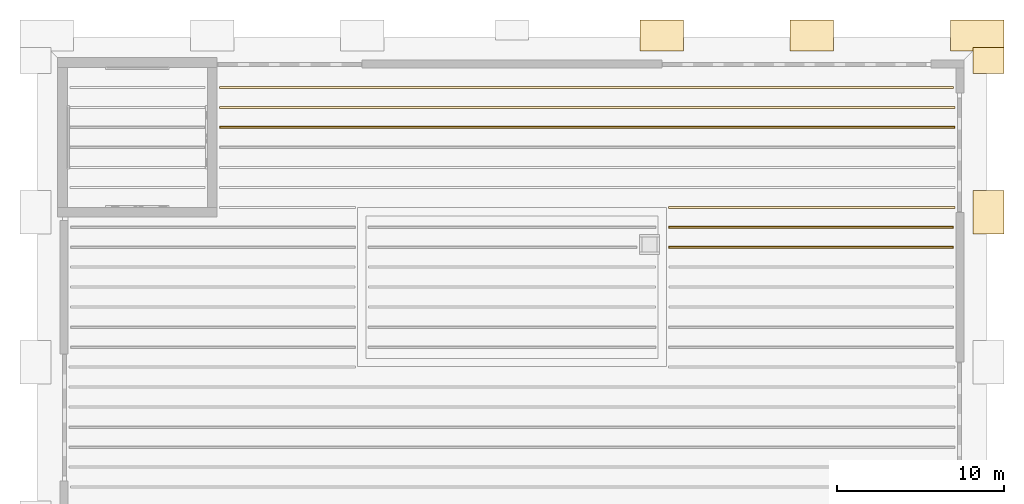
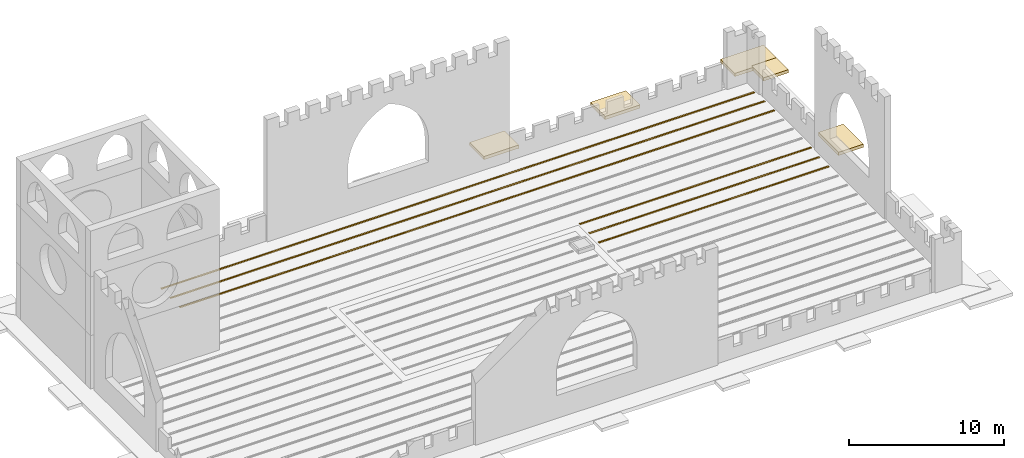
# One storey, part 4 of 4: 11 coverings.
"""IFC4 building model written with IfcOpenShell, lengths in metres."""

from ifc_helpers import new_model, si_unit, direction, frame, origin, place, context, subcontext, project, spatial, polyline, outline, extrude, material, layer, layer_set, type_object, element, save


model = new_model("IFC4")

# Units and contexts
model_context = context("Model", 3, precision=1e-05, world=origin(), true_north=direction((0.0, 1.0)))
body_context = subcontext(model_context, "Body", "Model", "MODEL_VIEW")
ifc_project = project(units=[si_unit("LENGTHUNIT", "METRE"), si_unit("AREAUNIT", "SQUARE_METRE"), si_unit("VOLUMEUNIT", "CUBIC_METRE"), si_unit("PLANEANGLEUNIT", "RADIAN"), si_unit("MASSUNIT", "GRAM", prefix="KILO")], contexts=[model_context])

# Site, building, storey
site_placement = place(None, origin())
site = spatial("IfcSite", under=ifc_project, at=site_placement, CompositionType="ELEMENT")
building_placement = place(site_placement, origin())
building = spatial("IfcBuilding", under=site, at=building_placement, Name="Baradari Gate Terminus", CompositionType="ELEMENT")
storey_placement = place(building_placement, frame((0.0, 0.0, 36.89990234375)))
storey = spatial("IfcBuildingStorey", under=building, at=storey_placement, Name="ROOF", CompositionType="ELEMENT", Elevation=36.89990234375)

# Coverings
ifc_material_1 = material(Name="Light ochre laterite masonry", Category="masonry")
ifc_layer_1 = layer(ifc_material_1, 0.25)
ifc_layer_set_1 = layer_set([ifc_layer_1], Name="Light ochre laterite masonry")
covering_type_1 = type_object("IfcCoveringType", Name="Pier coping PC-1 250", PredefinedType="CLADDING", material=ifc_layer_set_1)
covering_1_placement = place(storey_placement, origin())
element("IfcCovering", 1, at=covering_1_placement, inside=storey, type_object=covering_type_1, Name="Pier coping PC-1 over the frame", PredefinedType="CLADDING", context=body_context, shape_type="SweptSolid", body=[
    extrude(outline(polyline([(46.300048828125, 144.695068359375), (43.699951171875, 144.695068359375), (43.699951171875, 146.544921875), (46.300048828125, 146.544921875), (46.300048828125, 144.695068359375)])), origin(), (0.0, 0.0, 1.0), 0.25),
])
covering_2_placement = place(storey_placement, origin())
element("IfcCovering", 2, at=covering_2_placement, inside=storey, type_object=covering_type_1, Name="Pier coping PC-1 over the frame", PredefinedType="CLADDING", context=body_context, shape_type="SweptSolid", body=[
    extrude(outline(polyline([(55.300048828125, 144.695068359375), (52.699951171875, 144.695068359375), (52.699951171875, 146.544921875), (55.300048828125, 146.544921875), (55.300048828125, 144.695068359375)])), origin(), (0.0, 0.0, 1.0), 0.25),
])
covering_3_placement = place(storey_placement, origin())
element("IfcCovering", 3, at=covering_3_placement, inside=storey, type_object=covering_type_1, Name="Pier coping PC-1 over the frame", PredefinedType="CLADDING", context=body_context, shape_type="SweptSolid", body=[
    extrude(outline(polyline([(65.544921875, 133.699951171875), (63.695068359375, 133.699951171875), (63.695068359375, 136.300048828125), (65.544921875, 136.300048828125), (65.544921875, 133.699951171875)])), origin(), (0.0, 0.0, 1.0), 0.25),
])
covering_4_placement = place(storey_placement, origin())
element("IfcCovering", 4, at=covering_4_placement, inside=storey, type_object=covering_type_1, Name="Pier coping PC-1 over the frame", PredefinedType="CLADDING", context=body_context, shape_type="SweptSolid", body=[
    extrude(outline(polyline([(65.544921875, 144.695068359375), (62.344970703125, 144.695068359375), (62.344970703125, 146.544921875), (65.544921875, 146.544921875), (65.544921875, 144.695068359375)])), origin(), (0.0, 0.0, 1.0), 0.25),
])
covering_5_placement = place(storey_placement, origin())
element("IfcCovering", 5, at=covering_5_placement, inside=storey, type_object=covering_type_1, Name="Pier coping PC-1 over the frame", PredefinedType="CLADDING", context=body_context, shape_type="SweptSolid", body=[
    extrude(outline(polyline([(65.544921875, 143.344970703125), (63.695068359375, 143.344970703125), (63.695068359375, 144.89501953125), (65.544921875, 144.89501953125), (65.544921875, 143.344970703125)])), origin(), (0.0, 0.0, 1.0), 0.25),
])
ifc_material_2 = material(Name="Terracotta paving", Category="masonry")
ifc_layer_2 = layer(ifc_material_2, 0.050048828125)
ifc_layer_set_2 = layer_set([ifc_layer_2], Name="Terracotta paving")
covering_type_2 = type_object("IfcCoveringType", Name="Terracotta tile course RP-2 50", PredefinedType="FLOORING", material=ifc_layer_set_2)
covering_6_placement = place(storey_placement, frame((0.0, 0.0, 0.030029296875)))
element("IfcCovering", 6, at=covering_6_placement, inside=storey, type_object=covering_type_2, Name="Terracotta tile course RP-2 block-roof-P1", PredefinedType="FLOORING", context=body_context, shape_type="SweptSolid", body=[
    extrude(outline(polyline([(62.5, 132.840087890625), (62.5, 132.9599609375), (45.425048828125, 132.9599609375), (45.425048828125, 132.840087890625), (62.5, 132.840087890625)])), origin(), (0.0, 0.0, 1.0), 0.050048828125),
])
covering_7_placement = place(storey_placement, frame((0.0, 0.0, 0.030029296875)))
element("IfcCovering", 7, at=covering_7_placement, inside=storey, type_object=covering_type_2, Name="Terracotta tile course RP-2 block-roof-P1", PredefinedType="FLOORING", context=body_context, shape_type="SweptSolid", body=[
    extrude(outline(polyline([(62.5, 134.0400390625), (62.5, 134.159912109375), (45.425048828125, 134.159912109375), (45.425048828125, 134.0400390625), (62.5, 134.0400390625)])), origin(), (0.0, 0.0, 1.0), 0.050048828125),
])
covering_8_placement = place(storey_placement, frame((0.0, 0.0, 0.030029296875)))
element("IfcCovering", 8, at=covering_8_placement, inside=storey, type_object=covering_type_2, Name="Terracotta tile course RP-2 block-roof-P1", PredefinedType="FLOORING", context=body_context, shape_type="SweptSolid", body=[
    extrude(outline(polyline([(62.60009765625, 135.239990234375), (62.60009765625, 135.360107421875), (45.3984375, 135.360107421875), (45.3984375, 135.239990234375), (62.60009765625, 135.239990234375)])), origin(), (0.0, 0.0, 1.0), 0.050048828125),
])
covering_9_placement = place(storey_placement, frame((0.0, 0.0, 0.030029296875)))
element("IfcCovering", 9, at=covering_9_placement, inside=storey, type_object=covering_type_2, Name="Terracotta tile course RP-2 block-roof-P1", PredefinedType="FLOORING", context=body_context, shape_type="SweptSolid", body=[
    extrude(outline(polyline([(62.60009765625, 140.0400390625), (62.60009765625, 140.159912109375), (18.449951171875, 140.159912109375), (18.449951171875, 140.0400390625), (62.60009765625, 140.0400390625)])), origin(), (0.0, 0.0, 1.0), 0.050048828125),
])
covering_10_placement = place(storey_placement, frame((0.0, 0.0, 0.030029296875)))
element("IfcCovering", 10, at=covering_10_placement, inside=storey, type_object=covering_type_2, Name="Terracotta tile course RP-2 block-roof-P1", PredefinedType="FLOORING", context=body_context, shape_type="SweptSolid", body=[
    extrude(outline(polyline([(62.60009765625, 141.239990234375), (62.60009765625, 141.360107421875), (18.449951171875, 141.360107421875), (18.449951171875, 141.239990234375), (62.60009765625, 141.239990234375)])), origin(), (0.0, 0.0, 1.0), 0.050048828125),
])
covering_11_placement = place(storey_placement, frame((0.0, 0.0, 0.030029296875)))
element("IfcCovering", 11, at=covering_11_placement, inside=storey, type_object=covering_type_2, Name="Terracotta tile course RP-2 block-roof-P1", PredefinedType="FLOORING", context=body_context, shape_type="SweptSolid", body=[
    extrude(outline(polyline([(62.5, 142.43994140625), (62.5, 142.56005859375), (18.449951171875, 142.56005859375), (18.449951171875, 142.43994140625), (62.5, 142.43994140625)])), origin(), (0.0, 0.0, 1.0), 0.050048828125),
])

save(model, "model.ifc")
